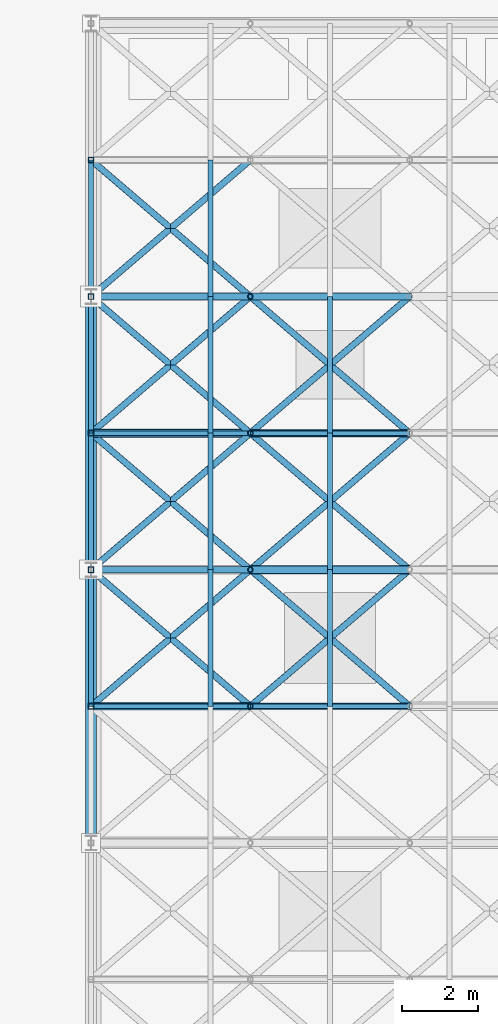
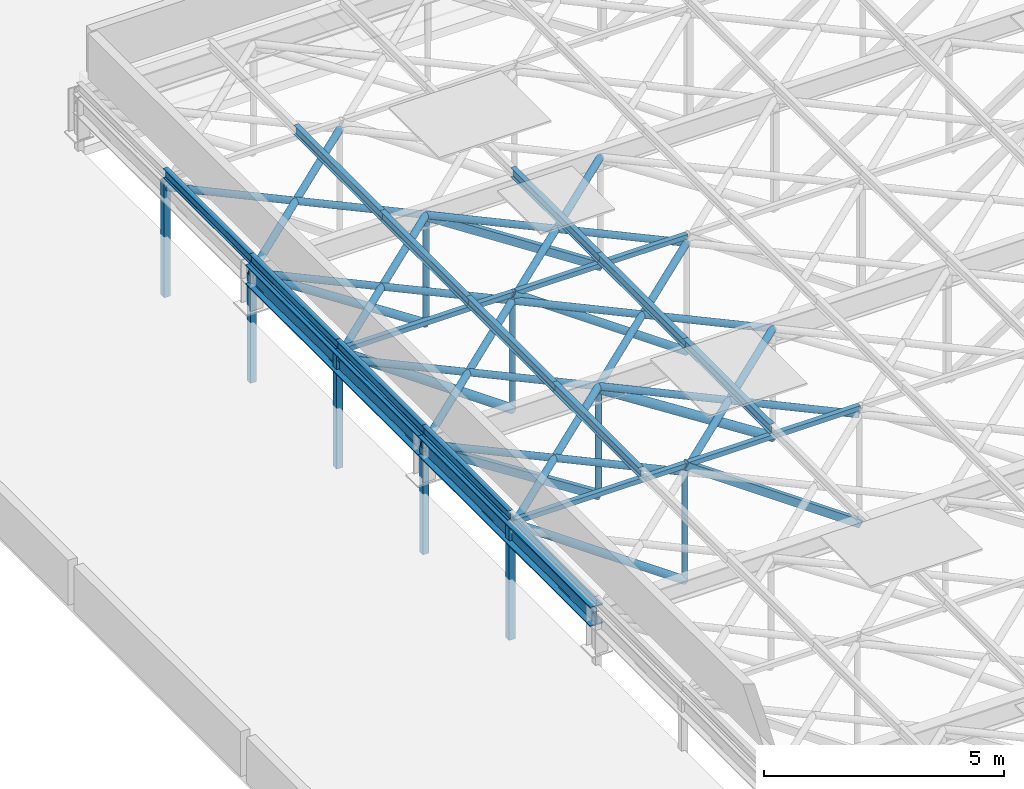
# One storey, part 17 of 45: 46 members, 2 beams.
"""IFC4 building model written with IfcOpenShell, lengths in metres."""

from ifc_helpers import new_model, si_unit, derived_unit, direction, frame, origin, origin_2d, place, context, subcontext, project, spatial, hollow_rectangle, hollow_circle, i_section, extrude, material, material_profile, profile_set, type_object, element, save


model = new_model("IFC4")

# Units and contexts
model_context = context("Model", 3, precision=1e-05, world=origin(), true_north=direction((0.0, 1.0)))
body_context = subcontext(model_context, "Body", "Model", "MODEL_VIEW")
ifc_project = project(units=[si_unit("LENGTHUNIT", "METRE"), si_unit("AREAUNIT", "SQUARE_METRE"), si_unit("VOLUMEUNIT", "CUBIC_METRE"), si_unit("PLANEANGLEUNIT", "RADIAN"), si_unit("MASSUNIT", "GRAM", prefix="KILO"), derived_unit("THERMALTRANSMITTANCEUNIT", [(si_unit("MASSUNIT", "GRAM", prefix="KILO"), 1), (si_unit("TIMEUNIT", "SECOND"), -3), (si_unit("THERMODYNAMICTEMPERATUREUNIT", "KELVIN"), -1)])], contexts=[model_context])

# Site, building, storey
site_placement = place(None, origin())
site = spatial("IfcSite", under=ifc_project, at=site_placement, CompositionType="ELEMENT")
building_placement = place(site_placement, origin())
building = spatial("IfcBuilding", under=site, at=building_placement, Name="Veldstrom Oceanarium and Marine Research Institute", CompositionType="ELEMENT")
storey_placement = place(building_placement, frame((0.0, 0.0, 22.199951171875)))
storey = spatial("IfcBuildingStorey", under=building, at=storey_placement, Name="L04", CompositionType="ELEMENT", Elevation=22.199951171875)

# Beams
ifc_material_1 = material(Name="Steel S355JR", Category="steel")
ifc_material_profile_1 = material_profile(ifc_material_1, i_section(OverallWidth=0.300048828125, OverallDepth=0.5, WebThickness=0.014404296875, FlangeThickness=0.028076171875, FilletRadius=0.027099609375, at=origin_2d()), Name="HEB 500")
ifc_profile_set_1 = profile_set([ifc_material_profile_1], Name="Steel S355JR")
beam_type = type_object("IfcBeamType", Name="STR-BM-SB4", PredefinedType="BEAM", material=ifc_profile_set_1)
for number, where, z_axis, x_axis, name in (
    (1, (16.800048828125, 36.0, 0.860107421875), (0.0, 1.0, 0.0), (-1.0, 0.0, 0.0), "Hall Roof Edge Girder 3/F"),
    (2, (16.800048828125, 43.199951171875, 0.860107421875), (0.0, 1.0, 0.0), (-1.0, 0.0, 0.0), "Hall Roof Edge Girder 3/G"),
):
    element("IfcBeam", number, at=place(storey_placement, frame(where, z_axis=z_axis, x_axis=x_axis)), inside=storey, type_object=beam_type, Name=name, PredefinedType="BEAM", context=body_context, shape_type="SweptSolid", body=[
        extrude(i_section(OverallWidth=0.300048828125, OverallDepth=0.5, WebThickness=0.014404296875, FlangeThickness=0.028076171875, FilletRadius=0.027099609375, at=origin_2d()), origin(), (0.0, 0.0, 1.0), 7.199951171875),
    ])

# Members
ifc_material_2 = material(Name="Steel S355JR", Category="steel")
ifc_material_profile_2 = material_profile(ifc_material_2, hollow_circle(Radius=0.109619140625, WallThickness=0.012451171875, at=origin_2d()), Name="CHS 219.1x12.5")
ifc_profile_set_2 = profile_set([ifc_material_profile_2], Name="Steel S355JR")
member_type_1 = type_object("IfcMemberType", Name="STR-MEM-BR1", PredefinedType="BRACE", material=ifc_profile_set_2)
member_1_placement = place(storey_placement, frame((21.0, 43.199951171875, 0.801513671875), z_axis=(0.841046607487, 0.0, -0.540962664178), x_axis=(0.0, 1.0, 0.0)))
element("IfcMember", 3, at=member_1_placement, inside=storey, type_object=member_type_1, Name="Truss Web Diagonal RT09-2", PredefinedType="BRACE", context=body_context, shape_type="SweptSolid", body=[
    extrude(hollow_circle(Radius=0.109619140625, WallThickness=0.012451171875, at=origin_2d()), origin(), (0.0, 0.0, 1.0), 4.99365234375),
])
member_2_placement = place(storey_placement, frame((16.800048828125, 46.800048828125, 1.050048828125), z_axis=(0.818316866904, 0.0, -0.574767348881), x_axis=(0.0, 1.0, 0.0)))
element("IfcMember", 4, at=member_2_placement, inside=storey, type_object=member_type_1, Name="Truss Web Diagonal RT10-1", PredefinedType="BRACE", context=body_context, shape_type="SweptSolid", body=[
    extrude(hollow_circle(Radius=0.109619140625, WallThickness=0.012451171875, at=origin_2d()), origin(), (0.0, 0.0, 1.0), 5.13232421875),
])
ifc_material_3 = material(Name="Steel S355JR", Category="steel")
ifc_material_profile_3 = material_profile(ifc_material_3, hollow_circle(Radius=0.096923828125, WallThickness=0.010009765625, at=origin_2d()), Name="CHS 193.7x10")
ifc_profile_set_3 = profile_set([ifc_material_profile_3], Name="Steel S355JR")
member_type_2 = type_object("IfcMemberType", Name="STR-MEM-BR2", PredefinedType="BRACE", material=ifc_profile_set_3)
for number, where, z_axis, x_axis, name in (
    (5, (16.800048828125, 39.60009765625, 1.050048828125), (0.818316866904, 0.0, -0.574767348881), (0.0, 1.0, 0.0), "Truss Web Diagonal RT08-1"),
    (6, (21.0, 46.800048828125, 1.050048828125), (0.818316866904, 0.0, -0.574767348881), (0.0, 1.0, 0.0), "Truss Web Diagonal RT10-2"),
):
    element("IfcMember", number, at=place(storey_placement, frame(where, z_axis=z_axis, x_axis=x_axis)), inside=storey, type_object=member_type_2, Name=name, PredefinedType="BRACE", context=body_context, shape_type="SweptSolid", body=[
        extrude(hollow_circle(Radius=0.096923828125, WallThickness=0.010009765625, at=origin_2d()), origin(), (0.0, 0.0, 1.0), 5.13232421875),
    ])
member_3_placement = place(storey_placement, frame((16.800048828125, 50.39990234375, 0.843505859375), z_axis=(0.837217300889, 0.0, -0.546870360407), x_axis=(0.0, 1.0, 0.0)))
element("IfcMember", 7, at=member_3_placement, inside=storey, type_object=member_type_2, Name="Truss Web Diagonal RT11-1", PredefinedType="BRACE", context=body_context, shape_type="SweptSolid", body=[
    extrude(hollow_circle(Radius=0.096923828125, WallThickness=0.010009765625, at=origin_2d()), origin(), (0.0, 0.0, 1.0), 5.0166015625),
])
ifc_material_4 = material(Name="Steel S355JR", Category="steel")
ifc_material_profile_4 = material_profile(ifc_material_4, hollow_circle(Radius=0.084228515625, WallThickness=0.008056640625, at=origin_2d()), Name="CHS 168.3x8")
ifc_profile_set_4 = profile_set([ifc_material_profile_4], Name="Steel S355JR")
member_type_3 = type_object("IfcMemberType", Name="STR-MEM-BR3", PredefinedType="BRACE", material=ifc_profile_set_4)
for number, where, z_axis, x_axis, name in (
    (8, (16.800048828125, 39.60009765625, 0.860107421875), (0.759265948664, 0.650780469282, 0.0), (-0.650780469282, 0.759265948664, 0.0), "Roof Plan Wind Brace WB-08-1"),
    (9, (21.0, 39.60009765625, 0.860107421875), (-0.759265948664, 0.650780469282, 0.0), (-0.650780469282, -0.759265948664, 0.0), "Roof Plan Counter Wind Brace WB-08-1B"),
    (10, (21.0, 39.60009765625, 0.860107421875), (0.759265948664, 0.650780469282, 0.0), (-0.650780469282, 0.759265948664, 0.0), "Roof Plan Wind Brace WB-08-2"),
    (11, (25.199951171875, 39.60009765625, 0.860107421875), (-0.759265948664, 0.650780469282, 0.0), (-0.650780469282, -0.759265948664, 0.0), "Roof Plan Counter Wind Brace WB-08-2B"),
):
    element("IfcMember", number, at=place(storey_placement, frame(where, z_axis=z_axis, x_axis=x_axis)), inside=storey, type_object=member_type_3, Name=name, PredefinedType="BRACE", context=body_context, shape_type="SweptSolid", body=[
        extrude(hollow_circle(Radius=0.084228515625, WallThickness=0.008056640625, at=origin_2d()), origin(), (0.0, 0.0, 1.0), 5.531494140625),
    ])
for number, where, z_axis, x_axis, name in (
    (12, (16.800048828125, 43.199951171875, 0.860107421875), (0.759244140748, 0.650805911728, 0.0), (-0.650805911728, 0.759244140748, 0.0), "Roof Plan Wind Brace WB-09-1"),
    (13, (21.0, 43.199951171875, 0.860107421875), (-0.759244140748, 0.650805911728, 0.0), (-0.650805911728, -0.759244140748, 0.0), "Roof Plan Counter Wind Brace WB-09-1B"),
    (14, (21.0, 43.199951171875, 0.860107421875), (0.759244140748, 0.650805911728, 0.0), (-0.650805911728, 0.759244140748, 0.0), "Roof Plan Wind Brace WB-09-2"),
    (15, (25.199951171875, 43.199951171875, 0.860107421875), (-0.759244140748, 0.650805911728, 0.0), (-0.650805911728, -0.759244140748, 0.0), "Roof Plan Counter Wind Brace WB-09-2B"),
):
    element("IfcMember", number, at=place(storey_placement, frame(where, z_axis=z_axis, x_axis=x_axis)), inside=storey, type_object=member_type_3, Name=name, PredefinedType="BRACE", context=body_context, shape_type="SweptSolid", body=[
        extrude(hollow_circle(Radius=0.084228515625, WallThickness=0.008056640625, at=origin_2d()), origin(), (0.0, 0.0, 1.0), 5.53173828125),
    ])
for number, where, z_axis, x_axis, name in (
    (16, (16.800048828125, 46.800048828125, 0.860107421875), (0.759265948664, 0.650780469282, 0.0), (-0.650780469282, 0.759265948664, 0.0), "Roof Plan Wind Brace WB-10-1"),
    (17, (21.0, 46.800048828125, 0.860107421875), (-0.759265948664, 0.650780469282, 0.0), (-0.650780469282, -0.759265948664, 0.0), "Roof Plan Counter Wind Brace WB-10-1B"),
    (18, (21.0, 46.800048828125, 0.860107421875), (0.759265948664, 0.650780469282, 0.0), (-0.650780469282, 0.759265948664, 0.0), "Roof Plan Wind Brace WB-10-2"),
    (19, (25.199951171875, 46.800048828125, 0.860107421875), (-0.759265948664, 0.650780469282, 0.0), (-0.650780469282, -0.759265948664, 0.0), "Roof Plan Counter Wind Brace WB-10-2B"),
):
    element("IfcMember", number, at=place(storey_placement, frame(where, z_axis=z_axis, x_axis=x_axis)), inside=storey, type_object=member_type_3, Name=name, PredefinedType="BRACE", context=body_context, shape_type="SweptSolid", body=[
        extrude(hollow_circle(Radius=0.084228515625, WallThickness=0.008056640625, at=origin_2d()), origin(), (0.0, 0.0, 1.0), 5.531494140625),
    ])
for number, where, z_axis, x_axis, name in (
    (20, (16.800048828125, 50.39990234375, 0.860107421875), (0.759244140748, 0.650805911728, 0.0), (-0.650805911728, 0.759244140748, 0.0), "Roof Plan Wind Brace WB-11-1"),
    (21, (21.0, 50.39990234375, 0.860107421875), (-0.759244140748, 0.650805911728, 0.0), (-0.650805911728, -0.759244140748, 0.0), "Roof Plan Counter Wind Brace WB-11-1B"),
):
    element("IfcMember", number, at=place(storey_placement, frame(where, z_axis=z_axis, x_axis=x_axis)), inside=storey, type_object=member_type_3, Name=name, PredefinedType="BRACE", context=body_context, shape_type="SweptSolid", body=[
        extrude(hollow_circle(Radius=0.084228515625, WallThickness=0.008056640625, at=origin_2d()), origin(), (0.0, 0.0, 1.0), 5.53173828125),
    ])
ifc_material_5 = material(Name="Steel S355JR", Category="steel")
ifc_material_profile_5 = material_profile(ifc_material_5, hollow_rectangle(XDim=0.179931640625, YDim=0.179931640625, WallThickness=0.010009765625, at=origin_2d()), Name="SHS 180x180x10")
ifc_profile_set_5 = profile_set([ifc_material_profile_5], Name="Steel S355JR")
member_type_4 = type_object("IfcMemberType", Name="STR-MEM-BR4", PredefinedType="BRACE", material=ifc_profile_set_5)
member_4_placement = place(storey_placement, frame((21.0, 39.60009765625, 1.050048828125), z_axis=(0.818316866904, 0.0, -0.574767348881), x_axis=(0.0, 1.0, 0.0)))
element("IfcMember", 22, at=member_4_placement, inside=storey, type_object=member_type_4, Name="Truss Web Diagonal RT08-2", PredefinedType="BRACE", context=body_context, shape_type="SweptSolid", body=[
    extrude(hollow_rectangle(XDim=0.179931640625, YDim=0.179931640625, WallThickness=0.010009765625, at=origin_2d()), origin(), (0.0, 0.0, 1.0), 5.13232421875),
])
member_5_placement = place(storey_placement, frame((16.800048828125, 43.199951171875, 0.801513671875), z_axis=(0.841046607487, 0.0, -0.540962664178), x_axis=(0.0, 1.0, 0.0)))
element("IfcMember", 23, at=member_5_placement, inside=storey, type_object=member_type_4, Name="Truss Web Diagonal RT09-1", PredefinedType="BRACE", context=body_context, shape_type="SweptSolid", body=[
    extrude(hollow_rectangle(XDim=0.179931640625, YDim=0.179931640625, WallThickness=0.010009765625, at=origin_2d()), origin(), (0.0, 0.0, 1.0), 4.99365234375),
])
member_6_placement = place(storey_placement, frame((21.0, 50.39990234375, 0.843505859375), z_axis=(0.837217300889, 0.0, -0.546870360407), x_axis=(0.0, 1.0, 0.0)))
element("IfcMember", 24, at=member_6_placement, inside=storey, type_object=member_type_4, Name="Truss Web Diagonal RT11-2", PredefinedType="BRACE", context=body_context, shape_type="SweptSolid", body=[
    extrude(hollow_rectangle(XDim=0.179931640625, YDim=0.179931640625, WallThickness=0.010009765625, at=origin_2d()), origin(), (0.0, 0.0, 1.0), 5.0166015625),
])
ifc_material_6 = material(Name="Steel S355JR", Category="steel")
ifc_material_profile_6 = material_profile(ifc_material_6, i_section(OverallWidth=0.1201171875, OverallDepth=0.239990234375, WebThickness=0.006103515625, FlangeThickness=0.009765625, FilletRadius=0.014892578125, at=origin_2d()), Name="IPE 240")
ifc_profile_set_6 = profile_set([ifc_material_profile_6], Name="Steel S355JR")
member_type_5 = type_object("IfcMemberType", Name="STR-MEM-PR1", PredefinedType="PURLIN", material=ifc_profile_set_6)
for number, where, z_axis, x_axis, name in (
    (25, (16.800048828125, 39.60009765625, 1.22998046875), (0.0, 1.0, 0.0), (-1.0, 0.0, 0.0), "Hall Roof Purlin PR-09-1"),
    (26, (19.949951171875, 39.60009765625, 1.22998046875), (0.0, 1.0, 0.0), (-1.0, 0.0, 0.0), "Hall Roof Purlin PR-09-2"),
    (27, (23.10009765625, 39.60009765625, 1.22998046875), (0.0, 1.0, 0.0), (-1.0, 0.0, 0.0), "Hall Roof Purlin PR-09-3"),
):
    element("IfcMember", number, at=place(storey_placement, frame(where, z_axis=z_axis, x_axis=x_axis)), inside=storey, type_object=member_type_5, Name=name, PredefinedType="PURLIN", context=body_context, shape_type="SweptSolid", body=[
        extrude(i_section(OverallWidth=0.1201171875, OverallDepth=0.239990234375, WebThickness=0.006103515625, FlangeThickness=0.009765625, FilletRadius=0.014892578125, at=origin_2d()), origin(), (0.0, 0.0, 1.0), 3.599853515625),
    ])
for number, where, z_axis, x_axis, name in (
    (28, (16.800048828125, 43.199951171875, 1.22998046875), (0.0, 1.0, 0.0), (-1.0, 0.0, 0.0), "Hall Roof Purlin PR-10-1"),
    (29, (19.949951171875, 43.199951171875, 1.22998046875), (0.0, 1.0, 0.0), (-1.0, 0.0, 0.0), "Hall Roof Purlin PR-10-2"),
    (30, (23.10009765625, 43.199951171875, 1.22998046875), (0.0, 1.0, 0.0), (-1.0, 0.0, 0.0), "Hall Roof Purlin PR-10-3"),
):
    element("IfcMember", number, at=place(storey_placement, frame(where, z_axis=z_axis, x_axis=x_axis)), inside=storey, type_object=member_type_5, Name=name, PredefinedType="PURLIN", context=body_context, shape_type="SweptSolid", body=[
        extrude(i_section(OverallWidth=0.1201171875, OverallDepth=0.239990234375, WebThickness=0.006103515625, FlangeThickness=0.009765625, FilletRadius=0.014892578125, at=origin_2d()), origin(), (0.0, 0.0, 1.0), 3.60009765625),
    ])
for number, where, z_axis, x_axis, name in (
    (31, (16.800048828125, 46.800048828125, 1.22998046875), (0.0, 1.0, 0.0), (-1.0, 0.0, 0.0), "Hall Roof Purlin PR-11-1"),
    (32, (19.949951171875, 46.800048828125, 1.22998046875), (0.0, 1.0, 0.0), (-1.0, 0.0, 0.0), "Hall Roof Purlin PR-11-2"),
    (33, (23.10009765625, 46.800048828125, 1.22998046875), (0.0, 1.0, 0.0), (-1.0, 0.0, 0.0), "Hall Roof Purlin PR-11-3"),
):
    element("IfcMember", number, at=place(storey_placement, frame(where, z_axis=z_axis, x_axis=x_axis)), inside=storey, type_object=member_type_5, Name=name, PredefinedType="PURLIN", context=body_context, shape_type="SweptSolid", body=[
        extrude(i_section(OverallWidth=0.1201171875, OverallDepth=0.239990234375, WebThickness=0.006103515625, FlangeThickness=0.009765625, FilletRadius=0.014892578125, at=origin_2d()), origin(), (0.0, 0.0, 1.0), 3.599853515625),
    ])
for number, where, z_axis, x_axis, name in (
    (34, (16.800048828125, 50.39990234375, 1.22998046875), (0.0, 1.0, 0.0), (-1.0, 0.0, 0.0), "Hall Roof Purlin PR-12-1"),
    (35, (19.949951171875, 50.39990234375, 1.22998046875), (0.0, 1.0, 0.0), (-1.0, 0.0, 0.0), "Hall Roof Purlin PR-12-2"),
):
    element("IfcMember", number, at=place(storey_placement, frame(where, z_axis=z_axis, x_axis=x_axis)), inside=storey, type_object=member_type_5, Name=name, PredefinedType="PURLIN", context=body_context, shape_type="SweptSolid", body=[
        extrude(i_section(OverallWidth=0.1201171875, OverallDepth=0.239990234375, WebThickness=0.006103515625, FlangeThickness=0.009765625, FilletRadius=0.014892578125, at=origin_2d()), origin(), (0.0, 0.0, 1.0), 3.60009765625),
    ])
ifc_material_7 = material(Name="Steel S355JR", Category="steel")
ifc_material_profile_7 = material_profile(ifc_material_7, hollow_rectangle(XDim=0.14990234375, YDim=0.14990234375, WallThickness=0.010009765625, at=origin_2d()), Name="SHS 150x150x10")
ifc_profile_set_7 = profile_set([ifc_material_profile_7], Name="Steel S355JR")
member_type_6 = type_object("IfcMemberType", Name="STR-MEM-PS1", PredefinedType="POST", material=ifc_profile_set_7)
member_7_placement = place(storey_placement, frame((16.800048828125, 39.60009765625, -1.89990234375), z_axis=(0.0, 0.0, 1.0), x_axis=(1.0, 0.0, 0.0)))
element("IfcMember", 36, at=member_7_placement, inside=storey, type_object=member_type_6, Name="Truss Vertical Post RT08-1", PredefinedType="POST", context=body_context, shape_type="SweptSolid", body=[
    extrude(hollow_rectangle(XDim=0.14990234375, YDim=0.14990234375, WallThickness=0.010009765625, at=origin_2d()), origin(), (0.0, 0.0, 1.0), 2.949951171875),
])
member_8_placement = place(storey_placement, frame((16.800048828125, 43.199951171875, -1.89990234375), z_axis=(0.0, 0.0, 1.0), x_axis=(1.0, 0.0, 0.0)))
element("IfcMember", 37, at=member_8_placement, inside=storey, type_object=member_type_6, Name="Truss Vertical Post RT09-1", PredefinedType="POST", context=body_context, shape_type="SweptSolid", body=[
    extrude(hollow_rectangle(XDim=0.14990234375, YDim=0.14990234375, WallThickness=0.010009765625, at=origin_2d()), origin(), (0.0, 0.0, 1.0), 2.701416015625),
])
member_9_placement = place(storey_placement, frame((16.800048828125, 46.800048828125, -1.89990234375), z_axis=(0.0, 0.0, 1.0), x_axis=(1.0, 0.0, 0.0)))
element("IfcMember", 38, at=member_9_placement, inside=storey, type_object=member_type_6, Name="Truss Vertical Post RT10-1", PredefinedType="POST", context=body_context, shape_type="SweptSolid", body=[
    extrude(hollow_rectangle(XDim=0.14990234375, YDim=0.14990234375, WallThickness=0.010009765625, at=origin_2d()), origin(), (0.0, 0.0, 1.0), 2.949951171875),
])
member_10_placement = place(storey_placement, frame((16.800048828125, 50.39990234375, -1.89990234375), z_axis=(0.0, 0.0, 1.0), x_axis=(1.0, 0.0, 0.0)))
element("IfcMember", 39, at=member_10_placement, inside=storey, type_object=member_type_6, Name="Truss Vertical Post RT11-1", PredefinedType="POST", context=body_context, shape_type="SweptSolid", body=[
    extrude(hollow_rectangle(XDim=0.14990234375, YDim=0.14990234375, WallThickness=0.010009765625, at=origin_2d()), origin(), (0.0, 0.0, 1.0), 2.743408203125),
])
member_11_placement = place(storey_placement, frame((16.800048828125, 54.0, -1.89990234375), z_axis=(0.0, 0.0, 1.0), x_axis=(1.0, 0.0, 0.0)))
element("IfcMember", 40, at=member_11_placement, inside=storey, type_object=member_type_6, Name="Truss Vertical Post RT12-1", PredefinedType="POST", context=body_context, shape_type="SweptSolid", body=[
    extrude(hollow_rectangle(XDim=0.14990234375, YDim=0.14990234375, WallThickness=0.010009765625, at=origin_2d()), origin(), (0.0, 0.0, 1.0), 2.949951171875),
])
ifc_material_8 = material(Name="Steel S355JR", Category="steel")
ifc_material_profile_8 = material_profile(ifc_material_8, hollow_circle(Radius=0.06982421875, WallThickness=0.008056640625, at=origin_2d()), Name="CHS 139.7x8")
ifc_profile_set_8 = profile_set([ifc_material_profile_8], Name="Steel S355JR")
member_type_7 = type_object("IfcMemberType", Name="STR-MEM-PS2", PredefinedType="POST", material=ifc_profile_set_8)
member_12_placement = place(storey_placement, frame((21.0, 39.60009765625, -1.89990234375), z_axis=(0.0, 0.0, 1.0), x_axis=(1.0, 0.0, 0.0)))
element("IfcMember", 41, at=member_12_placement, inside=storey, type_object=member_type_7, Name="Truss Vertical Post RT08-2", PredefinedType="POST", context=body_context, shape_type="SweptSolid", body=[
    extrude(hollow_circle(Radius=0.06982421875, WallThickness=0.008056640625, at=origin_2d()), origin(), (0.0, 0.0, 1.0), 2.949951171875),
])
member_13_placement = place(storey_placement, frame((21.0, 43.199951171875, -1.89990234375), z_axis=(0.0, 0.0, 1.0), x_axis=(1.0, 0.0, 0.0)))
element("IfcMember", 42, at=member_13_placement, inside=storey, type_object=member_type_7, Name="Truss Vertical Post RT09-2", PredefinedType="POST", context=body_context, shape_type="SweptSolid", body=[
    extrude(hollow_circle(Radius=0.06982421875, WallThickness=0.008056640625, at=origin_2d()), origin(), (0.0, 0.0, 1.0), 2.701416015625),
])
member_14_placement = place(storey_placement, frame((21.0, 46.800048828125, -1.89990234375), z_axis=(0.0, 0.0, 1.0), x_axis=(1.0, 0.0, 0.0)))
element("IfcMember", 43, at=member_14_placement, inside=storey, type_object=member_type_7, Name="Truss Vertical Post RT10-2", PredefinedType="POST", context=body_context, shape_type="SweptSolid", body=[
    extrude(hollow_circle(Radius=0.06982421875, WallThickness=0.008056640625, at=origin_2d()), origin(), (0.0, 0.0, 1.0), 2.949951171875),
])
member_15_placement = place(storey_placement, frame((21.0, 50.39990234375, -1.89990234375), z_axis=(0.0, 0.0, 1.0), x_axis=(1.0, 0.0, 0.0)))
element("IfcMember", 44, at=member_15_placement, inside=storey, type_object=member_type_7, Name="Truss Vertical Post RT11-2", PredefinedType="POST", context=body_context, shape_type="SweptSolid", body=[
    extrude(hollow_circle(Radius=0.06982421875, WallThickness=0.008056640625, at=origin_2d()), origin(), (0.0, 0.0, 1.0), 2.743408203125),
])
ifc_material_9 = material(Name="Steel S355JR", Category="steel")
ifc_material_profile_9 = material_profile(ifc_material_9, hollow_rectangle(XDim=0.1201171875, YDim=0.1201171875, WallThickness=0.008056640625, at=origin_2d()), Name="SHS 120x120x8")
ifc_profile_set_9 = profile_set([ifc_material_profile_9], Name="Steel S355JR")
member_type_8 = type_object("IfcMemberType", Name="STR-MEM-RF1", PredefinedType="RAFTER", material=ifc_profile_set_9)
for number, where, z_axis, x_axis, name in (
    (45, (16.800048828125, 39.60009765625, 1.050048828125), (1.0, 0.0, 0.0), (0.0, 1.0, 0.0), "Truss Top Rafter RT08-1"),
    (46, (21.0, 39.60009765625, 1.050048828125), (1.0, 0.0, 0.0), (0.0, 1.0, 0.0), "Truss Top Rafter RT08-2"),
    (47, (16.800048828125, 46.800048828125, 1.050048828125), (1.0, 0.0, 0.0), (0.0, 1.0, 0.0), "Truss Top Rafter RT10-1"),
    (48, (21.0, 46.800048828125, 1.050048828125), (1.0, 0.0, 0.0), (0.0, 1.0, 0.0), "Truss Top Rafter RT10-2"),
):
    element("IfcMember", number, at=place(storey_placement, frame(where, z_axis=z_axis, x_axis=x_axis)), inside=storey, type_object=member_type_8, Name=name, PredefinedType="RAFTER", context=body_context, shape_type="SweptSolid", body=[
        extrude(hollow_rectangle(XDim=0.1201171875, YDim=0.1201171875, WallThickness=0.008056640625, at=origin_2d()), origin(), (0.0, 0.0, 1.0), 4.199951171875),
    ])

save(model, "model.ifc")
